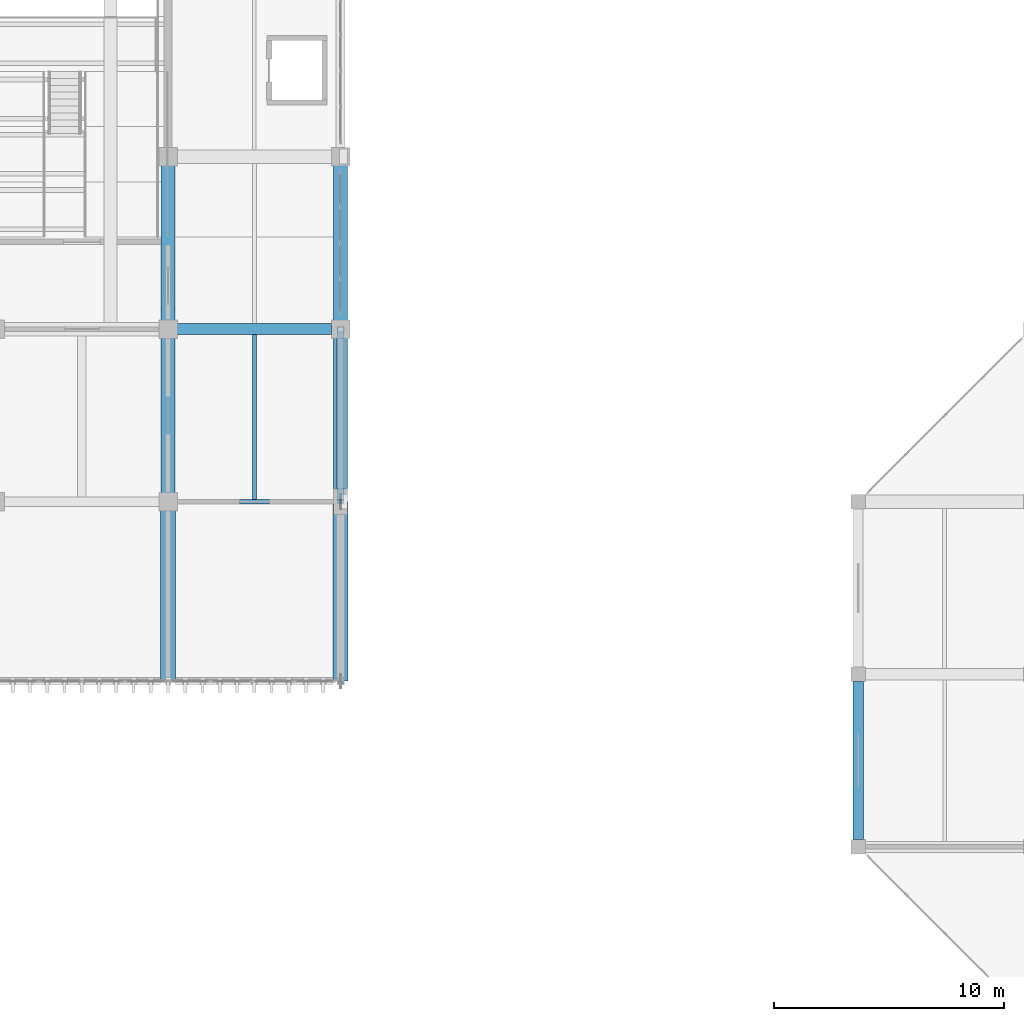
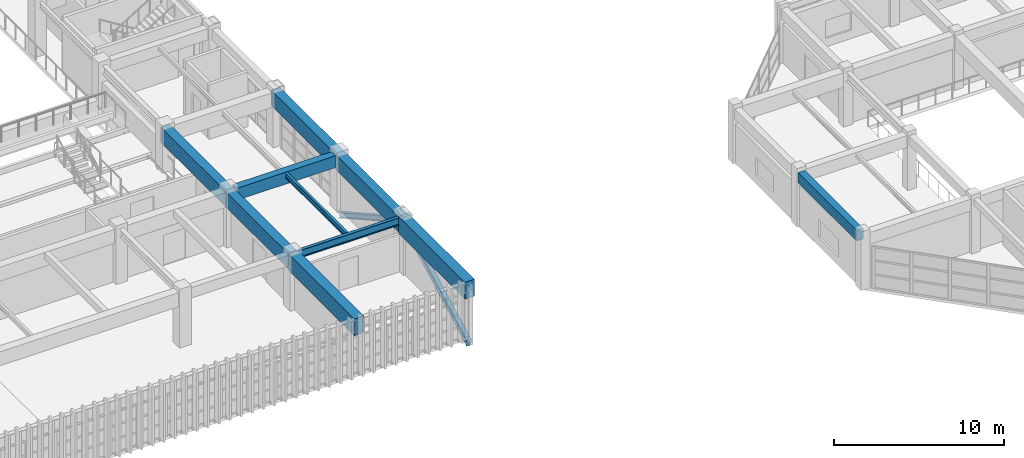
# One storey, part 35 of 124: 8 beams, 2 members.
"""IFC4 building model written with IfcOpenShell, lengths in metres."""

from ifc_helpers import new_model, si_unit, direction, frame, origin, origin_2d, place, context, subcontext, project, spatial, rectangle, i_section, extrude, material, material_profile, profile_set, type_object, element, save


model = new_model("IFC4")

# Units and contexts
model_context = context("Model", 3, precision=1e-05, world=origin(), true_north=direction((0.0, 1.0)))
body_context = subcontext(model_context, "Body", "Model", "MODEL_VIEW")
ifc_project = project(units=[si_unit("LENGTHUNIT", "METRE"), si_unit("AREAUNIT", "SQUARE_METRE"), si_unit("VOLUMEUNIT", "CUBIC_METRE"), si_unit("PLANEANGLEUNIT", "RADIAN"), si_unit("MASSUNIT", "GRAM", prefix="KILO")], contexts=[model_context])

# Site, building, storey
site_placement = place(None, origin())
site = spatial("IfcSite", under=ifc_project, at=site_placement, CompositionType="ELEMENT")
building_placement = place(site_placement, origin())
building = spatial("IfcBuilding", under=site, at=building_placement, Name="Qasida Concert Hall", CompositionType="ELEMENT")
storey_placement = place(building_placement, frame((0.0, 0.0, 9.0)))
storey = spatial("IfcBuildingStorey", under=building, at=storey_placement, Name="L02", CompositionType="ELEMENT", Elevation=9.0)

# Beams
ifc_material_1 = material(Name="Concrete C50/60", Category="concrete")
ifc_material_profile_1 = material_profile(ifc_material_1, rectangle(XDim=0.64990234375, YDim=1.199951171875, at=origin_2d()), Name="RC 650x1200")
ifc_profile_set_1 = profile_set([ifc_material_profile_1], Name="Concrete C50/60")
beam_type_1 = type_object("IfcBeamType", Name="BM-CG-1200", PredefinedType="USERDEFINED", material=ifc_profile_set_1)
for number, where, z_axis, x_axis, name in (
    (1, (97.5, 22.5, 3.320068359375), (0.0, -1.0, 0.0), (1.0, 0.0, 0.0), "Cantilever girder CG-010"),
    (2, (105.0, 22.5, 3.320068359375), (0.0, -1.0, 0.0), (1.0, 0.0, 0.0), "Cantilever girder CG-011"),
):
    element("IfcBeam", number, at=place(storey_placement, frame(where, z_axis=z_axis, x_axis=x_axis)), inside=storey, type_object=beam_type_1, Name=name, ObjectType="GIRDER", PredefinedType="USERDEFINED", context=body_context, shape_type="SweptSolid", body=[
        extrude(rectangle(XDim=0.64990234375, YDim=1.199951171875, at=origin_2d()), origin(), (0.0, 0.0, 1.0), 7.800048828125),
    ])
ifc_material_profile_2 = material_profile(ifc_material_1, rectangle(XDim=0.60009765625, YDim=1.10009765625, at=origin_2d()), Name="RC 600x1100")
ifc_profile_set_2 = profile_set([ifc_material_profile_2], Name="Concrete C50/60")
beam_type_2 = type_object("IfcBeamType", Name="BM-G4", PredefinedType="USERDEFINED", material=ifc_profile_set_2)
for number, where, z_axis, x_axis, name in (
    (3, (97.5, 22.5, 3.320068359375), (0.0, 1.0, 0.0), (-1.0, 0.0, 0.0), "Cantilever backspan girder CGB-010"),
    (4, (105.0, 22.5, 3.320068359375), (0.0, 1.0, 0.0), (-1.0, 0.0, 0.0), "Cantilever backspan girder CGB-011"),
):
    element("IfcBeam", number, at=place(storey_placement, frame(where, z_axis=z_axis, x_axis=x_axis)), inside=storey, type_object=beam_type_2, Name=name, ObjectType="GIRDER", PredefinedType="USERDEFINED", context=body_context, shape_type="SweptSolid", body=[
        extrude(rectangle(XDim=0.60009765625, YDim=1.10009765625, at=origin_2d()), origin(), (0.0, 0.0, 1.0), 15.0),
    ])
ifc_material_2 = material(Name="Concrete C40/50", Category="concrete")
ifc_material_profile_3 = material_profile(ifc_material_2, rectangle(XDim=0.47998046875, YDim=0.85009765625, at=origin_2d()), Name="RC 480x850")
ifc_profile_set_3 = profile_set([ifc_material_profile_3], Name="Concrete C40/50")
beam_type_3 = type_object("IfcBeamType", Name="BM-G6", PredefinedType="USERDEFINED", material=ifc_profile_set_3)
beam_1_placement = place(storey_placement, frame((97.89990234375, 30.0, 3.47509765625), z_axis=(1.0, 0.0, 0.0), x_axis=(0.0, 1.0, 0.0)))
element("IfcBeam", 5, at=beam_1_placement, inside=storey, type_object=beam_type_3, Name="Primary girder 1146", ObjectType="GIRDER", PredefinedType="USERDEFINED", context=body_context, shape_type="SweptSolid", body=[
    extrude(rectangle(XDim=0.47998046875, YDim=0.85009765625, at=origin_2d()), origin(), (0.0, 0.0, 1.0), 6.7001953125),
])
ifc_material_3 = material(Name="Steel S355J2", Category="steel")
ifc_material_profile_4 = material_profile(ifc_material_3, i_section(OverallWidth=0.169921875, OverallDepth=0.360107421875, WebThickness=0.008056640625, FlangeThickness=0.0126953125, FilletRadius=0.01806640625, at=origin_2d()), Name="IPE 360")
ifc_profile_set_4 = profile_set([ifc_material_profile_4], Name="Steel S355J2")
beam_type_4 = type_object("IfcBeamType", Name="BM-J2", PredefinedType="JOIST", material=ifc_profile_set_4)
beam_2_placement = place(storey_placement, frame((101.25, 22.60498046875, 3.719970703125), z_axis=(0.0, 1.0, 0.0), x_axis=(-1.0, 0.0, 0.0)))
element("IfcBeam", 6, at=beam_2_placement, inside=storey, type_object=beam_type_4, Name="L02 secondary joist 1217", PredefinedType="JOIST", context=body_context, shape_type="SweptSolid", body=[
    extrude(i_section(OverallWidth=0.169921875, OverallDepth=0.360107421875, WebThickness=0.008056640625, FlangeThickness=0.0126953125, FilletRadius=0.01806640625, at=origin_2d()), origin(), (0.0, 0.0, 1.0), 7.155029296875),
])
ifc_material_profile_5 = material_profile(ifc_material_3, i_section(OverallWidth=0.2099609375, OverallDepth=0.550048828125, WebThickness=0.010986328125, FlangeThickness=0.01708984375, FilletRadius=0.02392578125, at=origin_2d()), Name="IPE 550")
ifc_profile_set_5 = profile_set([ifc_material_profile_5], Name="Steel S355J2")
beam_type_5 = type_object("IfcBeamType", Name="BM-SP2", PredefinedType="SPANDREL", material=ifc_profile_set_5)
beam_3_placement = place(storey_placement, frame((97.89990234375, 22.5, 3.625), z_axis=(1.0, 0.0, 0.0), x_axis=(0.0, 1.0, 0.0)))
element("IfcBeam", 7, at=beam_3_placement, inside=storey, type_object=beam_type_5, Name="Primary girder 1141", PredefinedType="SPANDREL", context=body_context, shape_type="SweptSolid", body=[
    extrude(i_section(OverallWidth=0.2099609375, OverallDepth=0.550048828125, WebThickness=0.010986328125, FlangeThickness=0.01708984375, FilletRadius=0.02392578125, at=origin_2d()), origin(), (0.0, 0.0, 1.0), 6.800048828125),
])
ifc_material_profile_6 = material_profile(ifc_material_2, rectangle(XDim=0.449951171875, YDim=0.75, at=origin_2d()), Name="RC 450x750")
ifc_profile_set_6 = profile_set([ifc_material_profile_6], Name="Concrete C40/50")
beam_type_6 = type_object("IfcBeamType", Name="BM-SP4", PredefinedType="SPANDREL", material=ifc_profile_set_6)
beam_4_placement = place(storey_placement, frame((127.5, 7.81005859375, 3.52490234375), z_axis=(0.0, 1.0, 0.0), x_axis=(-1.0, 0.0, 0.0)))
element("IfcBeam", 8, at=beam_4_placement, inside=storey, type_object=beam_type_6, Name="L02 girder 1241", PredefinedType="SPANDREL", context=body_context, shape_type="SweptSolid", body=[
    extrude(rectangle(XDim=0.449951171875, YDim=0.75, at=origin_2d()), origin(), (0.0, 0.0, 1.0), 6.8798828125),
])

# Members
ifc_material_profile_7 = material_profile(ifc_material_3, i_section(OverallWidth=0.300048828125, OverallDepth=0.360107421875, WebThickness=0.012451171875, FlangeThickness=0.0224609375, FilletRadius=0.027099609375, at=origin_2d()), Name="HEB 360")
ifc_profile_set_7 = profile_set([ifc_material_profile_7], Name="Steel S355J2")
member_type_1 = type_object("IfcMemberType", Name="MB-BR1", PredefinedType="BRACE", material=ifc_profile_set_7)
member_1_placement = place(storey_placement, frame((105.0, 22.5, 3.60009765625), z_axis=(0.0, 0.872496329493, -0.488620665774), x_axis=(-1.0, 0.0, 0.0)))
element("IfcMember", 9, at=member_1_placement, inside=storey, type_object=member_type_1, Name="Wall truss backspan brace WT-E-022", PredefinedType="BRACE", context=body_context, shape_type="SweptSolid", body=[
    extrude(i_section(OverallWidth=0.300048828125, OverallDepth=0.360107421875, WebThickness=0.012451171875, FlangeThickness=0.0224609375, FilletRadius=0.027099609375, at=origin_2d()), origin(), (0.0, 0.0, 1.0), 8.595947265625),
])
ifc_material_profile_8 = material_profile(ifc_material_3, i_section(OverallWidth=0.300048828125, OverallDepth=0.39990234375, WebThickness=0.013427734375, FlangeThickness=0.02392578125, FilletRadius=0.027099609375, at=origin_2d()), Name="HEB 400")
ifc_profile_set_8 = profile_set([ifc_material_profile_8], Name="Steel S355J2")
member_type_2 = type_object("IfcMemberType", Name="MB-CH1", PredefinedType="CHORD", material=ifc_profile_set_8)
member_2_placement = place(storey_placement, frame((105.0, 22.5, 3.60009765625), z_axis=(0.0, -0.880463135675, -0.474114613482), x_axis=(1.0, 0.0, 0.0)))
element("IfcMember", 10, at=member_2_placement, inside=storey, type_object=member_type_2, Name="Wall truss diagonal WT-E-021", PredefinedType="CHORD", context=body_context, shape_type="SweptSolid", body=[
    extrude(i_section(OverallWidth=0.300048828125, OverallDepth=0.39990234375, WebThickness=0.013427734375, FlangeThickness=0.02392578125, FilletRadius=0.027099609375, at=origin_2d()), origin(), (0.0, 0.0, 1.0), 8.859130859375),
])

save(model, "model.ifc")
